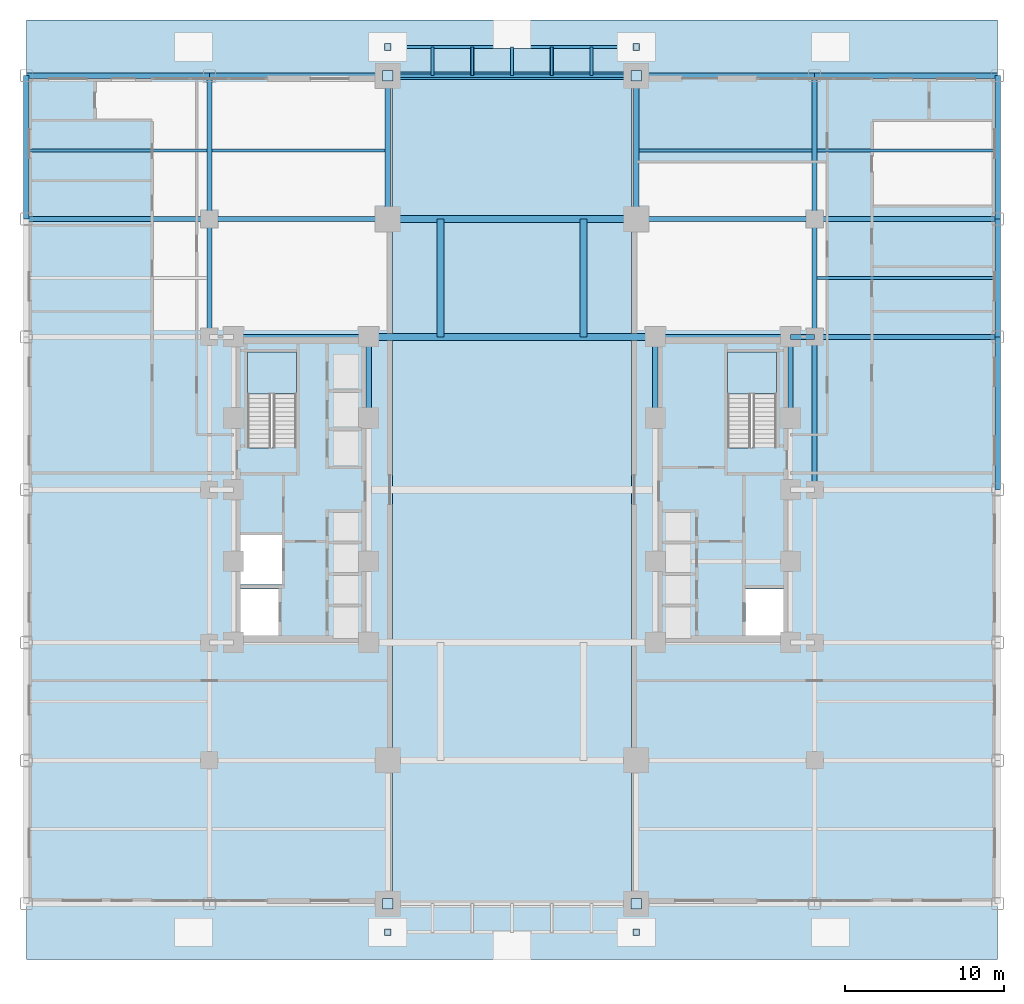
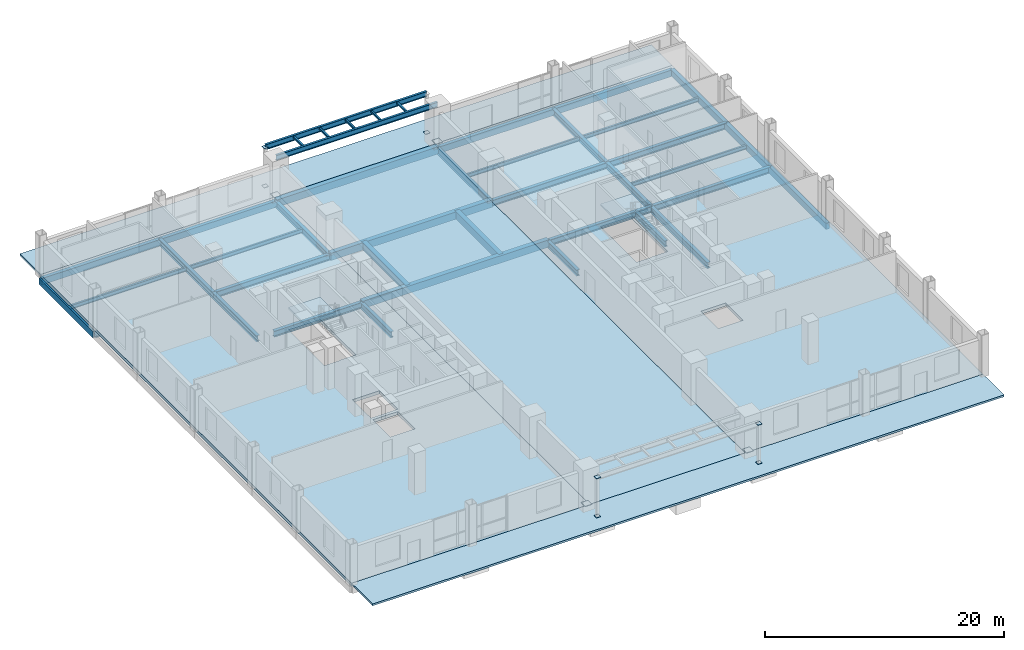
# One storey, part 7 of 20: 38 beams, 11 plates, 7 slabs, 5 members, 2 elements without a shape of their own.
"""IFC4 building model written with IfcOpenShell, lengths in metres."""

from ifc_helpers import new_model, si_unit, direction, frame, origin, origin_2d, place, context, subcontext, project, spatial, polyline, rectangle, hollow_rectangle, i_section, outline, extrude, source, transform, mapped, material, layer, layer_set, material_profile, profile_set, type_object, type_shapes, element, aggregate, save


model = new_model("IFC4")

# Units and contexts
model_context = context("Model", 3, precision=1e-05, world=origin(), true_north=direction((0.0, 1.0)))
body_context = subcontext(model_context, "Body", "Model", "MODEL_VIEW")
ifc_project = project(units=[si_unit("LENGTHUNIT", "METRE"), si_unit("AREAUNIT", "SQUARE_METRE"), si_unit("VOLUMEUNIT", "CUBIC_METRE"), si_unit("PLANEANGLEUNIT", "RADIAN"), si_unit("MASSUNIT", "GRAM", prefix="KILO")], contexts=[model_context])

# Site, building, storey
site_placement = place(None, origin())
site = spatial("IfcSite", under=ifc_project, at=site_placement, CompositionType="ELEMENT")
building_placement = place(site_placement, origin())
building = spatial("IfcBuilding", under=site, at=building_placement, Name="Nuvemarco Arch Tower", CompositionType="ELEMENT")
storey_placement = place(building_placement, origin())
storey = spatial("IfcBuildingStorey", under=building, at=storey_placement, Name="L00", CompositionType="ELEMENT", Elevation=0.0)

# Beams
ifc_material_1 = material(Name="Steel S355", Category="steel")
ifc_material_profile_1 = material_profile(ifc_material_1, i_section(OverallWidth=0.2109375, OverallDepth=0.5390625, WebThickness=0.01171875, FlangeThickness=0.018798828125, FilletRadius=0.01611328125, at=origin_2d()), Name="W530x109")
ifc_profile_set_1 = profile_set([ifc_material_profile_1], Name="Steel S355")
beam_type_1 = type_object("IfcBeamType", Name="BM-ARCH-HDR", PredefinedType="LINTEL", material=ifc_profile_set_1)
for number, where, z_axis, x_axis, name in (
    (1, (-7.800048828125, 26.0, 4.0), (1.0, 0.0, 0.0), (0.0, 1.0, 0.0), "Portal arch entrance canopy inner header N"),
    (2, (-7.800048828125, 27.800048828125, 4.0), (1.0, 0.0, 0.0), (0.0, 1.0, 0.0), "Portal arch entrance canopy outer fascia beam N"),
):
    element("IfcBeam", number, at=place(storey_placement, frame(where, z_axis=z_axis, x_axis=x_axis)), inside=storey, type_object=beam_type_1, Name=name, PredefinedType="LINTEL", context=body_context, shape_type="SweptSolid", body=[
        extrude(i_section(OverallWidth=0.2109375, OverallDepth=0.5390625, WebThickness=0.01171875, FlangeThickness=0.018798828125, FilletRadius=0.01611328125, at=origin_2d()), origin(), (0.0, 0.0, 1.0), 15.60009765625),
    ])
ifc_material_2 = material(Name="Concrete C50/60", Category="concrete")
ifc_material_profile_2 = material_profile(ifc_material_2, rectangle(XDim=0.449951171875, YDim=0.75, at=origin_2d()), Name="RC-BM-450x750")
ifc_profile_set_2 = profile_set([ifc_material_profile_2], Name="Concrete C50/60")
beam_type_2 = type_object("IfcBeamType", Name="BM-BASE-RC", PredefinedType="BEAM", material=ifc_profile_set_2)
beam_1_placement = place(storey_placement, frame((-9.0, 9.60009765625, -0.574951171875), z_axis=(1.0, 0.0, 0.0), x_axis=(0.0, 1.0, 0.0)))
element("IfcBeam", 3, at=beam_1_placement, inside=storey, type_object=beam_type_2, Name="L00 structural beam BPAV_L00_+9.6", PredefinedType="BEAM", context=body_context, shape_type="SweptSolid", body=[
    extrude(rectangle(XDim=0.449951171875, YDim=0.75, at=origin_2d()), origin(), (0.0, 0.0, 1.0), 18.0),
])
for number, where, z_axis, x_axis, name in (
    (4, (-7.800048828125, 17.0, -0.574951171875), (1.0, 0.0, 0.0), (0.0, 1.0, 0.0), "L00 structural beam BPAV_L00_+17.0"),
    (5, (-7.800048828125, 26.0, -0.574951171875), (1.0, 0.0, 0.0), (0.0, 1.0, 0.0), "L00 structural beam BPAV_L00_+26.0"),
):
    element("IfcBeam", number, at=place(storey_placement, frame(where, z_axis=z_axis, x_axis=x_axis)), inside=storey, type_object=beam_type_2, Name=name, PredefinedType="BEAM", context=body_context, shape_type="SweptSolid", body=[
        extrude(rectangle(XDim=0.449951171875, YDim=0.75, at=origin_2d()), origin(), (0.0, 0.0, 1.0), 15.60009765625),
    ])
for number, where, z_axis, x_axis, name in (
    (6, (-4.5, 9.60009765625, -0.574951171875), (0.0, 1.0, 0.0), (-1.0, 0.0, 0.0), "L00 structural beam BPAV_NS_N_W"),
    (7, (4.5, 9.60009765625, -0.574951171875), (0.0, 1.0, 0.0), (-1.0, 0.0, 0.0), "L00 structural beam BPAV_NS_N_E"),
):
    element("IfcBeam", number, at=place(storey_placement, frame(where, z_axis=z_axis, x_axis=x_axis)), inside=storey, type_object=beam_type_2, Name=name, PredefinedType="BEAM", context=body_context, shape_type="SweptSolid", body=[
        extrude(rectangle(XDim=0.449951171875, YDim=0.75, at=origin_2d()), origin(), (0.0, 0.0, 1.0), 7.39990234375),
    ])
ifc_material_profile_3 = material_profile(ifc_material_1, i_section(OverallWidth=0.324951171875, OverallDepth=0.615966796875, WebThickness=0.013916015625, FlangeThickness=0.021484375, FilletRadius=0.01611328125, at=origin_2d()), Name="W610x174")
ifc_profile_set_3 = profile_set([ifc_material_profile_3], Name="Steel S355")
beam_type_3 = type_object("IfcBeamType", Name="BM-GIRD-610H", PredefinedType="BEAM", material=ifc_profile_set_3)
beam_2_placement = place(storey_placement, frame((-19.0, 9.60009765625, -0.6279296875), z_axis=(0.0, 1.0, 0.0), x_axis=(-1.0, 0.0, 0.0)))
element("IfcBeam", 8, at=beam_2_placement, inside=storey, type_object=beam_type_3, Name="L00 structural beam BGNS_L00_0_-19.0_+9.6", PredefinedType="BEAM", context=body_context, shape_type="SweptSolid", body=[
    extrude(i_section(OverallWidth=0.324951171875, OverallDepth=0.615966796875, WebThickness=0.013916015625, FlangeThickness=0.021484375, FilletRadius=0.01611328125, at=origin_2d()), origin(), (0.0, 0.0, 1.0), 7.39990234375),
])
beam_3_placement = place(storey_placement, frame((-19.0, 17.0, -0.6279296875), z_axis=(0.0, 1.0, 0.0), x_axis=(-1.0, 0.0, 0.0)))
element("IfcBeam", 9, at=beam_3_placement, inside=storey, type_object=beam_type_3, Name="L00 structural beam BGNS_L00_0_-19.0_+17.0", PredefinedType="BEAM", context=body_context, shape_type="SweptSolid", body=[
    extrude(i_section(OverallWidth=0.324951171875, OverallDepth=0.615966796875, WebThickness=0.013916015625, FlangeThickness=0.021484375, FilletRadius=0.01611328125, at=origin_2d()), origin(), (0.0, 0.0, 1.0), 9.0),
])
beam_4_placement = place(storey_placement, frame((-9.0, 4.5, -0.6279296875), z_axis=(0.0, 1.0, 0.0), x_axis=(-1.0, 0.0, 0.0)))
element("IfcBeam", 10, at=beam_4_placement, inside=storey, type_object=beam_type_3, Name="L00 structural beam BGNS_L00_0_-9.0_+4.5", PredefinedType="BEAM", context=body_context, shape_type="SweptSolid", body=[
    extrude(i_section(OverallWidth=0.324951171875, OverallDepth=0.615966796875, WebThickness=0.013916015625, FlangeThickness=0.021484375, FilletRadius=0.01611328125, at=origin_2d()), origin(), (0.0, 0.0, 1.0), 5.10009765625),
])
beam_5_placement = place(storey_placement, frame((-7.800048828125, 17.0, -0.6279296875), z_axis=(0.0, 1.0, 0.0), x_axis=(-1.0, 0.0, 0.0)))
element("IfcBeam", 11, at=beam_5_placement, inside=storey, type_object=beam_type_3, Name="L00 structural beam BGNS_L00_0_-7.8_+17.0", PredefinedType="BEAM", context=body_context, shape_type="SweptSolid", body=[
    extrude(i_section(OverallWidth=0.324951171875, OverallDepth=0.615966796875, WebThickness=0.013916015625, FlangeThickness=0.021484375, FilletRadius=0.01611328125, at=origin_2d()), origin(), (0.0, 0.0, 1.0), 9.0),
])
beam_6_placement = place(storey_placement, frame((-17.5, 9.60009765625, -0.6279296875), z_axis=(1.0, 0.0, 0.0), x_axis=(0.0, 1.0, 0.0)))
element("IfcBeam", 12, at=beam_6_placement, inside=storey, type_object=beam_type_3, Name="L00 structural beam BGEW_L00_0_+9.6_-17.5", PredefinedType="BEAM", context=body_context, shape_type="SweptSolid", body=[
    extrude(i_section(OverallWidth=0.324951171875, OverallDepth=0.615966796875, WebThickness=0.013916015625, FlangeThickness=0.021484375, FilletRadius=0.01611328125, at=origin_2d()), origin(), (0.0, 0.0, 1.0), 8.5),
])
beam_7_placement = place(storey_placement, frame((-30.5, 17.0, -0.6279296875), z_axis=(1.0, 0.0, 0.0), x_axis=(0.0, 1.0, 0.0)))
element("IfcBeam", 13, at=beam_7_placement, inside=storey, type_object=beam_type_3, Name="L00 structural beam BGEW_L00_0_+17.0_-30.5", PredefinedType="BEAM", context=body_context, shape_type="SweptSolid", body=[
    extrude(i_section(OverallWidth=0.324951171875, OverallDepth=0.615966796875, WebThickness=0.013916015625, FlangeThickness=0.021484375, FilletRadius=0.01611328125, at=origin_2d()), origin(), (0.0, 0.0, 1.0), 11.5),
])
beam_8_placement = place(storey_placement, frame((-19.0, 17.0, -0.6279296875), z_axis=(1.0, 0.0, 0.0), x_axis=(0.0, 1.0, 0.0)))
element("IfcBeam", 14, at=beam_8_placement, inside=storey, type_object=beam_type_3, Name="L00 structural beam BGEW_L00_0_+17.0_-19.0", PredefinedType="BEAM", context=body_context, shape_type="SweptSolid", body=[
    extrude(i_section(OverallWidth=0.324951171875, OverallDepth=0.615966796875, WebThickness=0.013916015625, FlangeThickness=0.021484375, FilletRadius=0.01611328125, at=origin_2d()), origin(), (0.0, 0.0, 1.0), 11.199951171875),
])
beam_9_placement = place(storey_placement, frame((7.800048828125, 17.0, -0.6279296875), z_axis=(0.0, 1.0, 0.0), x_axis=(-1.0, 0.0, 0.0)))
element("IfcBeam", 15, at=beam_9_placement, inside=storey, type_object=beam_type_3, Name="L00 structural beam BGNS_L00_1_+7.8_+17.0", PredefinedType="BEAM", context=body_context, shape_type="SweptSolid", body=[
    extrude(i_section(OverallWidth=0.324951171875, OverallDepth=0.615966796875, WebThickness=0.013916015625, FlangeThickness=0.021484375, FilletRadius=0.01611328125, at=origin_2d()), origin(), (0.0, 0.0, 1.0), 9.0),
])
for number, where, z_axis, x_axis, name in (
    (16, (9.0, 4.5, -0.6279296875), (0.0, 1.0, 0.0), (-1.0, 0.0, 0.0), "L00 structural beam BGNS_L00_1_+9.0_+4.5"),
    (17, (17.5, 4.5, -0.6279296875), (0.0, 1.0, 0.0), (-1.0, 0.0, 0.0), "L00 structural beam BGNS_L00_1_+17.5_+4.5"),
):
    element("IfcBeam", number, at=place(storey_placement, frame(where, z_axis=z_axis, x_axis=x_axis)), inside=storey, type_object=beam_type_3, Name=name, PredefinedType="BEAM", context=body_context, shape_type="SweptSolid", body=[
        extrude(i_section(OverallWidth=0.324951171875, OverallDepth=0.615966796875, WebThickness=0.013916015625, FlangeThickness=0.021484375, FilletRadius=0.01611328125, at=origin_2d()), origin(), (0.0, 0.0, 1.0), 5.10009765625),
    ])
beam_10_placement = place(storey_placement, frame((19.0, 0.0, -0.6279296875), z_axis=(0.0, 1.0, 0.0), x_axis=(-1.0, 0.0, 0.0)))
element("IfcBeam", 18, at=beam_10_placement, inside=storey, type_object=beam_type_3, Name="L00 structural beam BGNS_L00_1_+19.0_+0.0", PredefinedType="BEAM", context=body_context, shape_type="SweptSolid", body=[
    extrude(i_section(OverallWidth=0.324951171875, OverallDepth=0.615966796875, WebThickness=0.013916015625, FlangeThickness=0.021484375, FilletRadius=0.01611328125, at=origin_2d()), origin(), (0.0, 0.0, 1.0), 9.60009765625),
])
beam_11_placement = place(storey_placement, frame((19.0, 9.60009765625, -0.6279296875), z_axis=(0.0, 1.0, 0.0), x_axis=(-1.0, 0.0, 0.0)))
element("IfcBeam", 19, at=beam_11_placement, inside=storey, type_object=beam_type_3, Name="L00 structural beam BGNS_L00_1_+19.0_+9.6", PredefinedType="BEAM", context=body_context, shape_type="SweptSolid", body=[
    extrude(i_section(OverallWidth=0.324951171875, OverallDepth=0.615966796875, WebThickness=0.013916015625, FlangeThickness=0.021484375, FilletRadius=0.01611328125, at=origin_2d()), origin(), (0.0, 0.0, 1.0), 7.39990234375),
])
beam_12_placement = place(storey_placement, frame((19.0, 17.0, -0.6279296875), z_axis=(0.0, 1.0, 0.0), x_axis=(-1.0, 0.0, 0.0)))
element("IfcBeam", 20, at=beam_12_placement, inside=storey, type_object=beam_type_3, Name="L00 structural beam BGNS_L00_1_+19.0_+17.0", PredefinedType="BEAM", context=body_context, shape_type="SweptSolid", body=[
    extrude(i_section(OverallWidth=0.324951171875, OverallDepth=0.615966796875, WebThickness=0.013916015625, FlangeThickness=0.021484375, FilletRadius=0.01611328125, at=origin_2d()), origin(), (0.0, 0.0, 1.0), 9.0),
])
beam_13_placement = place(storey_placement, frame((9.0, 9.60009765625, -0.6279296875), z_axis=(1.0, 0.0, 0.0), x_axis=(0.0, 1.0, 0.0)))
element("IfcBeam", 21, at=beam_13_placement, inside=storey, type_object=beam_type_3, Name="L00 structural beam BGEW_L00_1_+9.6_+9.0", PredefinedType="BEAM", context=body_context, shape_type="SweptSolid", body=[
    extrude(i_section(OverallWidth=0.324951171875, OverallDepth=0.615966796875, WebThickness=0.013916015625, FlangeThickness=0.021484375, FilletRadius=0.01611328125, at=origin_2d()), origin(), (0.0, 0.0, 1.0), 8.5),
])
beam_14_placement = place(storey_placement, frame((17.5, 9.60009765625, -0.6279296875), z_axis=(1.0, 0.0, 0.0), x_axis=(0.0, 1.0, 0.0)))
element("IfcBeam", 22, at=beam_14_placement, inside=storey, type_object=beam_type_3, Name="L00 structural beam BGEW_L00_1_+9.6_+17.5", PredefinedType="BEAM", context=body_context, shape_type="SweptSolid", body=[
    extrude(i_section(OverallWidth=0.324951171875, OverallDepth=0.615966796875, WebThickness=0.013916015625, FlangeThickness=0.021484375, FilletRadius=0.01611328125, at=origin_2d()), origin(), (0.0, 0.0, 1.0), 1.5),
])
beam_15_placement = place(storey_placement, frame((19.0, 9.60009765625, -0.6279296875), z_axis=(1.0, 0.0, 0.0), x_axis=(0.0, 1.0, 0.0)))
element("IfcBeam", 23, at=beam_15_placement, inside=storey, type_object=beam_type_3, Name="L00 structural beam BGEW_L00_1_+9.6_+19.0", PredefinedType="BEAM", context=body_context, shape_type="SweptSolid", body=[
    extrude(i_section(OverallWidth=0.324951171875, OverallDepth=0.615966796875, WebThickness=0.013916015625, FlangeThickness=0.021484375, FilletRadius=0.01611328125, at=origin_2d()), origin(), (0.0, 0.0, 1.0), 11.5),
])
beam_16_placement = place(storey_placement, frame((7.800048828125, 17.0, -0.6279296875), z_axis=(1.0, 0.0, 0.0), x_axis=(0.0, 1.0, 0.0)))
element("IfcBeam", 24, at=beam_16_placement, inside=storey, type_object=beam_type_3, Name="L00 structural beam BGEW_L00_1_+17.0_+7.8", PredefinedType="BEAM", context=body_context, shape_type="SweptSolid", body=[
    extrude(i_section(OverallWidth=0.324951171875, OverallDepth=0.615966796875, WebThickness=0.013916015625, FlangeThickness=0.021484375, FilletRadius=0.01611328125, at=origin_2d()), origin(), (0.0, 0.0, 1.0), 11.199951171875),
])
beam_17_placement = place(storey_placement, frame((19.0, 17.0, -0.6279296875), z_axis=(1.0, 0.0, 0.0), x_axis=(0.0, 1.0, 0.0)))
element("IfcBeam", 25, at=beam_17_placement, inside=storey, type_object=beam_type_3, Name="L00 structural beam BGEW_L00_1_+17.0_+19.0", PredefinedType="BEAM", context=body_context, shape_type="SweptSolid", body=[
    extrude(i_section(OverallWidth=0.324951171875, OverallDepth=0.615966796875, WebThickness=0.013916015625, FlangeThickness=0.021484375, FilletRadius=0.01611328125, at=origin_2d()), origin(), (0.0, 0.0, 1.0), 11.5),
])
ifc_material_profile_4 = material_profile(ifc_material_1, i_section(OverallWidth=0.179931640625, OverallDepth=0.4130859375, WebThickness=0.009765625, FlangeThickness=0.01611328125, FilletRadius=0.014892578125, at=origin_2d()), Name="W410x75")
ifc_profile_set_4 = profile_set([ifc_material_profile_4], Name="Steel S355")
beam_type_4 = type_object("IfcBeamType", Name="BM-JOIST-410", PredefinedType="JOIST", material=ifc_profile_set_4)
beam_18_placement = place(storey_placement, frame((-30.324951171875, 21.300048828125, -0.526611328125), z_axis=(1.0, 0.0, 0.0), x_axis=(0.0, 1.0, 0.0)))
element("IfcBeam", 26, at=beam_18_placement, inside=storey, type_object=beam_type_4, Name="L00 structural beam BJ_L00_0_+21.3_-30.5", PredefinedType="JOIST", context=body_context, shape_type="SweptSolid", body=[
    extrude(i_section(OverallWidth=0.179931640625, OverallDepth=0.4130859375, WebThickness=0.009765625, FlangeThickness=0.01611328125, FilletRadius=0.014892578125, at=origin_2d()), origin(), (0.0, 0.0, 1.0), 11.162353515625),
])
beam_19_placement = place(storey_placement, frame((-18.83740234375, 21.300048828125, -0.526611328125), z_axis=(1.0, 0.0, 0.0), x_axis=(0.0, 1.0, 0.0)))
element("IfcBeam", 27, at=beam_19_placement, inside=storey, type_object=beam_type_4, Name="L00 structural beam BJ_L00_0_+21.3_-19.0", PredefinedType="JOIST", context=body_context, shape_type="SweptSolid", body=[
    extrude(i_section(OverallWidth=0.179931640625, OverallDepth=0.4130859375, WebThickness=0.009765625, FlangeThickness=0.01611328125, FilletRadius=0.014892578125, at=origin_2d()), origin(), (0.0, 0.0, 1.0), 10.875),
])
beam_20_placement = place(storey_placement, frame((19.16259765625, 13.300048828125, -0.526611328125), z_axis=(1.0, 0.0, 0.0), x_axis=(0.0, 1.0, 0.0)))
element("IfcBeam", 28, at=beam_20_placement, inside=storey, type_object=beam_type_4, Name="L00 structural beam BJ_L00_1_+13.3_+19.0", PredefinedType="JOIST", context=body_context, shape_type="SweptSolid", body=[
    extrude(i_section(OverallWidth=0.179931640625, OverallDepth=0.4130859375, WebThickness=0.009765625, FlangeThickness=0.01611328125, FilletRadius=0.014892578125, at=origin_2d()), origin(), (0.0, 0.0, 1.0), 11.162353515625),
])
beam_21_placement = place(storey_placement, frame((7.96240234375, 21.300048828125, -0.526611328125), z_axis=(1.0, 0.0, 0.0), x_axis=(0.0, 1.0, 0.0)))
element("IfcBeam", 29, at=beam_21_placement, inside=storey, type_object=beam_type_4, Name="L00 structural beam BJ_L00_1_+21.3_+7.8", PredefinedType="JOIST", context=body_context, shape_type="SweptSolid", body=[
    extrude(i_section(OverallWidth=0.179931640625, OverallDepth=0.4130859375, WebThickness=0.009765625, FlangeThickness=0.01611328125, FilletRadius=0.014892578125, at=origin_2d()), origin(), (0.0, 0.0, 1.0), 10.875),
])
beam_22_placement = place(storey_placement, frame((19.16259765625, 21.300048828125, -0.526611328125), z_axis=(1.0, 0.0, 0.0), x_axis=(0.0, 1.0, 0.0)))
element("IfcBeam", 30, at=beam_22_placement, inside=storey, type_object=beam_type_4, Name="L00 structural beam BJ_L00_1_+21.3_+19.0", PredefinedType="JOIST", context=body_context, shape_type="SweptSolid", body=[
    extrude(i_section(OverallWidth=0.179931640625, OverallDepth=0.4130859375, WebThickness=0.009765625, FlangeThickness=0.01611328125, FilletRadius=0.014892578125, at=origin_2d()), origin(), (0.0, 0.0, 1.0), 11.162353515625),
])
ifc_material_3 = material(Name="Precast concrete C45/55", Category="concrete")
ifc_material_profile_5 = material_profile(ifc_material_3, rectangle(XDim=0.35009765625, YDim=0.64990234375, at=origin_2d()), Name="PC-SP-350x650")
ifc_profile_set_5 = profile_set([ifc_material_profile_5], Name="Precast concrete C45/55")
beam_type_5 = type_object("IfcBeamType", Name="BM-SPAN-RC", PredefinedType="SPANDREL", material=ifc_profile_set_5)
beam_23_placement = place(storey_placement, frame((-30.5, 17.0, -0.64501953125), z_axis=(0.0, 1.0, 0.0), x_axis=(-1.0, 0.0, 0.0)))
element("IfcBeam", 31, at=beam_23_placement, inside=storey, type_object=beam_type_5, Name="L00 structural beam BGNS_L00_0_-30.5_+17.0", PredefinedType="SPANDREL", context=body_context, shape_type="SweptSolid", body=[
    extrude(rectangle(XDim=0.35009765625, YDim=0.64990234375, at=origin_2d()), origin(), (0.0, 0.0, 1.0), 9.0),
])
beam_24_placement = place(storey_placement, frame((-30.5, 26.0, -0.64501953125), z_axis=(1.0, 0.0, 0.0), x_axis=(0.0, 1.0, 0.0)))
element("IfcBeam", 32, at=beam_24_placement, inside=storey, type_object=beam_type_5, Name="L00 structural beam BGEW_L00_0_+26.0_-30.5", PredefinedType="SPANDREL", context=body_context, shape_type="SweptSolid", body=[
    extrude(rectangle(XDim=0.35009765625, YDim=0.64990234375, at=origin_2d()), origin(), (0.0, 0.0, 1.0), 11.5),
])
beam_25_placement = place(storey_placement, frame((-19.0, 26.0, -0.64501953125), z_axis=(1.0, 0.0, 0.0), x_axis=(0.0, 1.0, 0.0)))
element("IfcBeam", 33, at=beam_25_placement, inside=storey, type_object=beam_type_5, Name="L00 structural beam BGEW_L00_0_+26.0_-19.0", PredefinedType="SPANDREL", context=body_context, shape_type="SweptSolid", body=[
    extrude(rectangle(XDim=0.35009765625, YDim=0.64990234375, at=origin_2d()), origin(), (0.0, 0.0, 1.0), 11.199951171875),
])
beam_26_placement = place(storey_placement, frame((30.5, 0.0, -0.64501953125), z_axis=(0.0, 1.0, 0.0), x_axis=(-1.0, 0.0, 0.0)))
element("IfcBeam", 34, at=beam_26_placement, inside=storey, type_object=beam_type_5, Name="L00 structural beam BGNS_L00_1_+30.5_+0.0", PredefinedType="SPANDREL", context=body_context, shape_type="SweptSolid", body=[
    extrude(rectangle(XDim=0.35009765625, YDim=0.64990234375, at=origin_2d()), origin(), (0.0, 0.0, 1.0), 9.60009765625),
])
beam_27_placement = place(storey_placement, frame((30.5, 9.60009765625, -0.64501953125), z_axis=(0.0, 1.0, 0.0), x_axis=(-1.0, 0.0, 0.0)))
element("IfcBeam", 35, at=beam_27_placement, inside=storey, type_object=beam_type_5, Name="L00 structural beam BGNS_L00_1_+30.5_+9.6", PredefinedType="SPANDREL", context=body_context, shape_type="SweptSolid", body=[
    extrude(rectangle(XDim=0.35009765625, YDim=0.64990234375, at=origin_2d()), origin(), (0.0, 0.0, 1.0), 7.39990234375),
])
beam_28_placement = place(storey_placement, frame((30.5, 17.0, -0.64501953125), z_axis=(0.0, 1.0, 0.0), x_axis=(-1.0, 0.0, 0.0)))
element("IfcBeam", 36, at=beam_28_placement, inside=storey, type_object=beam_type_5, Name="L00 structural beam BGNS_L00_1_+30.5_+17.0", PredefinedType="SPANDREL", context=body_context, shape_type="SweptSolid", body=[
    extrude(rectangle(XDim=0.35009765625, YDim=0.64990234375, at=origin_2d()), origin(), (0.0, 0.0, 1.0), 9.0),
])
beam_29_placement = place(storey_placement, frame((7.800048828125, 26.0, -0.64501953125), z_axis=(1.0, 0.0, 0.0), x_axis=(0.0, 1.0, 0.0)))
element("IfcBeam", 37, at=beam_29_placement, inside=storey, type_object=beam_type_5, Name="L00 structural beam BGEW_L00_1_+26.0_+7.8", PredefinedType="SPANDREL", context=body_context, shape_type="SweptSolid", body=[
    extrude(rectangle(XDim=0.35009765625, YDim=0.64990234375, at=origin_2d()), origin(), (0.0, 0.0, 1.0), 11.199951171875),
])
beam_30_placement = place(storey_placement, frame((19.0, 26.0, -0.64501953125), z_axis=(1.0, 0.0, 0.0), x_axis=(0.0, 1.0, 0.0)))
element("IfcBeam", 38, at=beam_30_placement, inside=storey, type_object=beam_type_5, Name="L00 structural beam BGEW_L00_1_+26.0_+19.0", PredefinedType="SPANDREL", context=body_context, shape_type="SweptSolid", body=[
    extrude(rectangle(XDim=0.35009765625, YDim=0.64990234375, at=origin_2d()), origin(), (0.0, 0.0, 1.0), 11.5),
])

# Members
ifc_material_profile_6 = material_profile(ifc_material_1, hollow_rectangle(XDim=0.199951171875, YDim=0.199951171875, WallThickness=0.012451171875, InnerFilletRadius=0.012451171875, OuterFilletRadius=0.02490234375, at=origin_2d()), Name="SHS200x200x12.5")
ifc_profile_set_6 = profile_set([ifc_material_profile_6], Name="Steel S355")
member_type = type_object("IfcMemberType", Name="MB-CANOPY-TIE", PredefinedType="RAFTER", material=ifc_profile_set_6)
for number, where, z_axis, x_axis, name in (
    (39, (-5.0, 26.0, 4.0), (0.0, 1.0, 0.0), (-1.0, 0.0, 0.0), "Portal arch entrance canopy rafter N -5.0"),
    (40, (-2.5, 26.0, 4.0), (0.0, 1.0, 0.0), (-1.0, 0.0, 0.0), "Portal arch entrance canopy rafter N -2.5"),
    (41, (0.0, 26.0, 4.0), (0.0, 1.0, 0.0), (-1.0, 0.0, 0.0), "Portal arch entrance canopy rafter N +0.0"),
    (42, (2.5, 26.0, 4.0), (0.0, 1.0, 0.0), (-1.0, 0.0, 0.0), "Portal arch entrance canopy rafter N +2.5"),
    (43, (5.0, 26.0, 4.0), (0.0, 1.0, 0.0), (-1.0, 0.0, 0.0), "Portal arch entrance canopy rafter N +5.0"),
):
    element("IfcMember", number, at=place(storey_placement, frame(where, z_axis=z_axis, x_axis=x_axis)), inside=storey, type_object=member_type, Name=name, PredefinedType="RAFTER", context=body_context, shape_type="SweptSolid", body=[
        extrude(hollow_rectangle(XDim=0.199951171875, YDim=0.199951171875, WallThickness=0.012451171875, InnerFilletRadius=0.012451171875, OuterFilletRadius=0.02490234375, at=origin_2d()), origin(), (0.0, 0.0, 1.0), 1.800048828125),
    ])

# Slabs
ifc_layer_1 = layer(ifc_material_2, 0.320068359375, Name="SL-FLR-320")
ifc_layer_set_1 = layer_set([ifc_layer_1], Name="Concrete C50/60")
slab_type_1 = type_object("IfcSlabType", Name="SL-FLR-320", PredefinedType="FLOOR", material=ifc_layer_set_1)
slab_1_placement = place(storey_placement, frame((0.0, 0.0, -0.320068359375)))
element("IfcSlab", 44, at=slab_1_placement, inside=storey, type_object=slab_type_1, Name="L00 structural floor slab", PredefinedType="FLOOR", context=body_context, shape_type="SweptSolid", body=[
    extrude(outline(polyline([(-30.5, -26.0), (-7.5, -26.0), (-7.5, 26.0), (-30.5, 26.0), (-30.5, -26.0)]), holes=[polyline([(-13.5400390625, 2.669921875), (-13.5400390625, 8.64990234375), (-16.60009765625, 8.64990234375), (-16.60009765625, 2.630615234375), (-15.070068359375, 2.630615234375), (-15.070068359375, 2.669921875), (-13.5400390625, 2.669921875)]), polyline([(-17.050048828125, -9.14990234375), (-14.64990234375, -9.14990234375), (-14.64990234375, -6.25), (-17.050048828125, -6.25), (-17.050048828125, -9.14990234375)]), polyline([(-17.050048828125, -5.949951171875), (-14.449951171875, -5.949951171875), (-14.449951171875, -2.85009765625), (-17.050048828125, -2.85009765625), (-17.050048828125, -5.949951171875)])]), origin(), (0.0, 0.0, 1.0), 0.320068359375),
])
slab_2_placement = place(storey_placement, frame((0.0, 0.0, -0.320068359375)))
element("IfcSlab", 45, at=slab_2_placement, inside=storey, type_object=slab_type_1, Name="L00 structural floor slab", PredefinedType="FLOOR", context=body_context, shape_type="SweptSolid", body=[
    extrude(outline(polyline([(7.5, -26.0), (30.5, -26.0), (30.5, 26.0), (7.5, 26.0), (7.5, -26.0)]), holes=[polyline([(16.60009765625, 2.669921875), (16.60009765625, 8.64990234375), (13.5400390625, 8.64990234375), (13.5400390625, 2.630615234375), (15.070068359375, 2.630615234375), (15.070068359375, 2.669921875), (16.60009765625, 2.669921875)]), polyline([(14.64990234375, -9.14990234375), (17.050048828125, -9.14990234375), (17.050048828125, -6.25), (14.64990234375, -6.25), (14.64990234375, -9.14990234375)])]), origin(), (0.0, 0.0, 1.0), 0.320068359375),
])

# Stair, slab
stair_type = type_object("IfcStairType", Name="ST-CORE-26R", PredefinedType="HALF_TURN_STAIR", material=ifc_material_3)
stair_1_placement = place(storey_placement, origin())
stair_1 = element("IfcStair", 46, at=stair_1_placement, inside=storey, type_object=stair_type, Name="L00 Protected Exit Stair ST-1", PredefinedType="HALF_TURN_STAIR")
ifc_layer_2 = layer(ifc_material_3, 0.199951171875, Name="SL-LANDING-200")
ifc_layer_set_2 = layer_set([ifc_layer_2], Name="Precast concrete C45/55")
slab_type_2 = type_object("IfcSlabType", Name="SL-LANDING-200", PredefinedType="LANDING", material=ifc_layer_set_2)
slab_3_placement = place(storey_placement, frame((0.0, 0.0, 2.10009765625)))
slab_3 = element("IfcSlab", 47, at=slab_3_placement, type_object=slab_type_2, Name="ST-26R landing 1", PredefinedType="LANDING", context=body_context, shape_type="SweptSolid", body=[
    extrude(outline(polyline([(-13.5400390625, 6.029296875), (-13.5400390625, 8.64990234375), (-16.60009765625, 8.64990234375), (-16.60009765625, 6.010009765625), (-15.070068359375, 6.010009765625), (-15.070068359375, 6.029296875), (-13.5400390625, 6.029296875)])), origin(), (0.0, 0.0, 1.0), 0.199951171875),
])
aggregate(stair_1, [slab_3])

stair_2_placement = place(storey_placement, origin())
stair_2 = element("IfcStair", 48, at=stair_2_placement, inside=storey, type_object=stair_type, Name="L00 Protected Exit Stair ST-2", PredefinedType="HALF_TURN_STAIR")
slab_4_placement = place(storey_placement, frame((0.0, 0.0, 2.10009765625)))
slab_4 = element("IfcSlab", 49, at=slab_4_placement, type_object=slab_type_2, Name="ST-26R landing 1", PredefinedType="LANDING", context=body_context, shape_type="SweptSolid", body=[
    extrude(outline(polyline([(16.60009765625, 6.029296875), (16.60009765625, 8.64990234375), (13.5400390625, 8.64990234375), (13.5400390625, 6.010009765625), (15.070068359375, 6.010009765625), (15.070068359375, 6.029296875), (16.60009765625, 6.029296875)])), origin(), (0.0, 0.0, 1.0), 0.199951171875),
])
aggregate(stair_2, [slab_4])

# Slabs
ifc_layer_3 = layer(ifc_material_3, 0.199951171875, Name="SL-PAV-200")
ifc_layer_set_3 = layer_set([ifc_layer_3], Name="Precast concrete C45/55")
slab_type_3 = type_object("IfcSlabType", Name="SL-PAV-200", PredefinedType="USERDEFINED", material=ifc_layer_set_3)
slab_5_placement = place(storey_placement, frame((0.0, 0.0, -0.199951171875)))
element("IfcSlab", 50, at=slab_5_placement, inside=storey, type_object=slab_type_3, Name="Public plaza paving PAV-ARCH", ObjectType="PAVING", PredefinedType="USERDEFINED", context=body_context, shape_type="SweptSolid", body=[
    extrude(outline(polyline([(-7.5, -26.0), (7.5, -26.0), (7.5, 26.0), (-7.5, 26.0), (-7.5, -26.0)])), origin(), (0.0, 0.0, 1.0), 0.199951171875),
])
slab_6_placement = place(storey_placement, frame((0.0, 0.0, -0.199951171875)))
element("IfcSlab", 51, at=slab_6_placement, inside=storey, type_object=slab_type_3, Name="Public plaza paving PAV-SOUTH", ObjectType="PAVING", PredefinedType="USERDEFINED", context=body_context, shape_type="SweptSolid", body=[
    extrude(outline(polyline([(-30.5, -29.5), (30.5, -29.5), (30.5, -26.0), (-30.5, -26.0), (-30.5, -29.5)])), origin(), (0.0, 0.0, 1.0), 0.199951171875),
])
slab_7_placement = place(storey_placement, frame((0.0, 0.0, -0.199951171875)))
element("IfcSlab", 52, at=slab_7_placement, inside=storey, type_object=slab_type_3, Name="Public plaza paving PAV-NORTH", ObjectType="PAVING", PredefinedType="USERDEFINED", context=body_context, shape_type="SweptSolid", body=[
    extrude(outline(polyline([(-30.5, 26.0), (30.5, 26.0), (30.5, 29.5), (-30.5, 29.5), (-30.5, 26.0)])), origin(), (0.0, 0.0, 1.0), 0.199951171875),
])

# Plates
ifc_layer_4 = layer(ifc_material_1, 0.030029296875, Name="PL-CAP-650-EXT")
ifc_layer_set_4 = layer_set([ifc_layer_4], Name="Steel S355")
plate_type_1 = type_object("IfcPlateType", Name="PL-CAP-650-EXT", PredefinedType="SHEET", material=ifc_layer_set_4)
shared_shape_1 = source(origin(), body_context, "Body", "SweptSolid", [
    extrude(rectangle(XDim=0.669921875, YDim=0.669921875, at=origin_2d()), origin(), (0.0, 0.0, 1.0), 0.030029296875),
])
type_shapes(plate_type_1, [shared_shape_1])
for number, where, z_axis, x_axis, name in (
    (53, (-7.800048828125, -26.0, 0.18505859375), (0.0, 0.0, 1.0), (1.0, 0.0, 0.0), "Hollow steel end-cap plate ARCH_RIB_S_0_C0"),
    (54, (7.800048828125, -26.0, 0.18505859375), (0.0, 0.0, 1.0), (1.0, 0.0, 0.0), "Hollow steel end-cap plate ARCH_RIB_S_5_C1"),
    (55, (-7.800048828125, 26.0, 0.18505859375), (0.0, 0.0, 1.0), (1.0, 0.0, 0.0), "Hollow steel end-cap plate ARCH_RIB_N_0_C0"),
    (56, (7.800048828125, 26.0, 0.18505859375), (0.0, 0.0, 1.0), (1.0, 0.0, 0.0), "Hollow steel end-cap plate ARCH_RIB_N_5_C1"),
):
    element("IfcPlate", number, at=place(storey_placement, frame(where, z_axis=z_axis, x_axis=x_axis)), inside=storey, type_object=plate_type_1, Name=name, PredefinedType="SHEET", context=body_context, shape_type="MappedRepresentation", body=[
        mapped(shared_shape_1, transform((0.0, 0.0, 0.0), scale=1.0)),
    ])
ifc_layer_5 = layer(ifc_material_1, 0.030029296875, Name="PL-CAP-400-EXT")
ifc_layer_set_5 = layer_set([ifc_layer_5], Name="Steel S355")
plate_type_2 = type_object("IfcPlateType", Name="PL-CAP-400-EXT", PredefinedType="SHEET", material=ifc_layer_set_5)
shared_shape_2 = source(origin(), body_context, "Body", "SweptSolid", [
    extrude(rectangle(XDim=0.419921875, YDim=0.419921875, at=origin_2d()), origin(), (0.0, 0.0, 1.0), 0.030029296875),
])
type_shapes(plate_type_2, [shared_shape_2])
for number, where, z_axis, x_axis, name in (
    (57, (-7.800048828125, -27.800048828125, -0.01513671875), (0.0, 0.0, 1.0), (1.0, 0.0, 0.0), "Hollow steel end-cap plate COL_CNP_S_W_BOT"),
    (58, (-7.800048828125, -27.800048828125, 3.98486328125), (0.0, 0.0, 1.0), (1.0, 0.0, 0.0), "Hollow steel end-cap plate COL_CNP_S_W_TOP"),
    (59, (7.800048828125, -27.800048828125, -0.01513671875), (0.0, 0.0, 1.0), (1.0, 0.0, 0.0), "Hollow steel end-cap plate COL_CNP_S_E_BOT"),
    (60, (7.800048828125, -27.800048828125, 3.98486328125), (0.0, 0.0, 1.0), (1.0, 0.0, 0.0), "Hollow steel end-cap plate COL_CNP_S_E_TOP"),
    (61, (-7.800048828125, 27.800048828125, -0.01513671875), (0.0, 0.0, 1.0), (1.0, 0.0, 0.0), "Hollow steel end-cap plate COL_CNP_N_W_BOT"),
    (62, (-7.800048828125, 27.800048828125, 3.98486328125), (0.0, 0.0, 1.0), (1.0, 0.0, 0.0), "Hollow steel end-cap plate COL_CNP_N_W_TOP"),
    (63, (7.800048828125, 27.800048828125, -0.01513671875), (0.0, 0.0, 1.0), (1.0, 0.0, 0.0), "Hollow steel end-cap plate COL_CNP_N_E_BOT"),
):
    element("IfcPlate", number, at=place(storey_placement, frame(where, z_axis=z_axis, x_axis=x_axis)), inside=storey, type_object=plate_type_2, Name=name, PredefinedType="SHEET", context=body_context, shape_type="MappedRepresentation", body=[
        mapped(shared_shape_2, transform((0.0, 0.0, 0.0), scale=1.0)),
    ])

save(model, "model.ifc")
